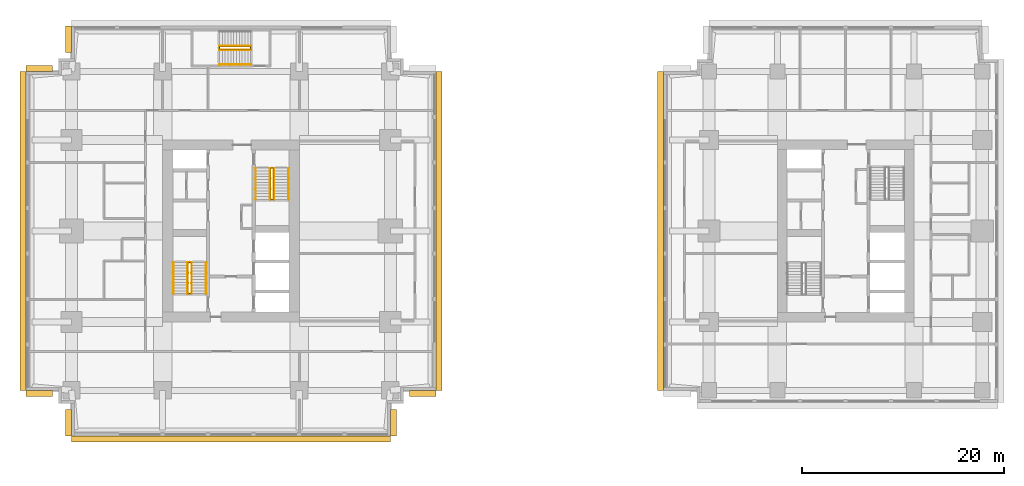
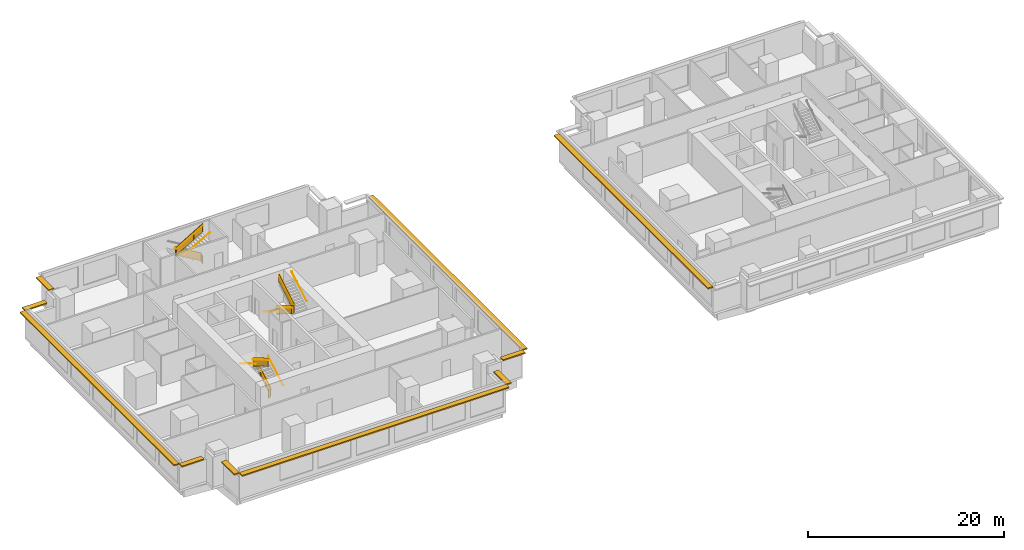
# One storey, part 9 of 10: 14 railings, 10 shading devices.
"""IFC4 building model written with IfcOpenShell, lengths in metres."""

from ifc_helpers import new_model, si_unit, direction, frame, origin, origin_2d, place, context, subcontext, project, spatial, polyline, rectangle, circle, outline, extrude, material, layer, layer_set, type_object, element, save


model = new_model("IFC4")

# Units and contexts
model_context = context("Model", 3, precision=1e-05, world=origin(), true_north=direction((0.0, 1.0)))
body_context = subcontext(model_context, "Body", "Model", "MODEL_VIEW")
ifc_project = project(units=[si_unit("LENGTHUNIT", "METRE"), si_unit("AREAUNIT", "SQUARE_METRE"), si_unit("VOLUMEUNIT", "CUBIC_METRE"), si_unit("PLANEANGLEUNIT", "RADIAN"), si_unit("MASSUNIT", "GRAM", prefix="KILO")], contexts=[model_context])

# Site, building, storey
site_placement = place(None, origin())
site = spatial("IfcSite", under=ifc_project, at=site_placement, CompositionType="ELEMENT")
building_placement = place(site_placement, origin())
building = spatial("IfcBuilding", under=site, at=building_placement, Name="Namib Vertical Campus", CompositionType="ELEMENT")
storey_placement = place(building_placement, frame((0.0, 0.0, 165.0)))
storey = spatial("IfcBuildingStorey", under=building, at=storey_placement, Name="L39", CompositionType="ELEMENT", Elevation=165.0)

# Railings
ifc_material_1 = material(Name="Steel handrail", Category="steel")
railing_type_1 = type_object("IfcRailingType", Name="Handrail 900", PredefinedType="HANDRAIL", material=ifc_material_1)
railing_1_placement = place(storey_placement, frame((17.800048828125, 14.050048828125, 0.166748046875)))
element("IfcRailing", 1, at=railing_1_placement, inside=storey, type_object=railing_type_1, Name="Handrail HR1 A-S1 L39 1", PredefinedType="HANDRAIL", context=body_context, shape_type="SweptSolid", body=[
    extrude(circle(Radius=0.02392578125, at=origin_2d()), frame((0.0, 0.0, 0.8759765625), z_axis=(0.0, 0.859290745958, 0.51148745235), x_axis=(-1.0, 0.0, 0.0)), (0.0, 0.0, 1.0), 3.584228515625),
    extrude(circle(Radius=0.008056640625, at=origin_2d()), frame((0.0, 0.0, 0.8759765625), z_axis=(1.0, 0.0, 0.0), x_axis=(0.0, 0.0, 1.0)), (0.0, 0.0, 1.0), 0.050048828125),
    extrude(circle(Radius=0.008056640625, at=origin_2d()), frame((0.0, 1.026611328125, 1.48681640625), z_axis=(1.0, 0.0, 0.0), x_axis=(0.0, 0.0, 1.0)), (0.0, 0.0, 1.0), 0.050048828125),
    extrude(circle(Radius=0.008056640625, at=origin_2d()), frame((0.0, 2.05322265625, 2.09814453125), z_axis=(1.0, 0.0, 0.0), x_axis=(0.0, 0.0, 1.0)), (0.0, 0.0, 1.0), 0.050048828125),
    extrude(circle(Radius=0.008056640625, at=origin_2d()), frame((0.0, 3.079833984375, 2.708984375), z_axis=(1.0, 0.0, 0.0), x_axis=(0.0, 0.0, 1.0)), (0.0, 0.0, 1.0), 0.050048828125),
])
railing_2_placement = place(storey_placement, frame((14.550048828125, 17.1298828125, 2.166748046875)))
element("IfcRailing", 2, at=railing_2_placement, inside=storey, type_object=railing_type_1, Name="Handrail HR1 A-S1 L39 2", PredefinedType="HANDRAIL", context=body_context, shape_type="SweptSolid", body=[
    extrude(circle(Radius=0.02392578125, at=origin_2d()), frame((0.0, 0.0, 0.8759765625), z_axis=(0.0, -0.859290745958, 0.51148745235), x_axis=(1.0, 0.0, 0.0)), (0.0, 0.0, 1.0), 3.584228515625),
    extrude(circle(Radius=0.008056640625, at=origin_2d()), frame((0.0, 0.0, 0.8759765625), z_axis=(-1.0, 0.0, 0.0), x_axis=(0.0, 0.0, 1.0)), (0.0, 0.0, 1.0), 0.050048828125),
    extrude(circle(Radius=0.008056640625, at=origin_2d()), frame((0.0, -1.026611328125, 1.48681640625), z_axis=(-1.0, 0.0, 0.0), x_axis=(0.0, 0.0, 1.0)), (0.0, 0.0, 1.0), 0.050048828125),
    extrude(circle(Radius=0.008056640625, at=origin_2d()), frame((0.0, -2.05322265625, 2.09814453125), z_axis=(-1.0, 0.0, 0.0), x_axis=(0.0, 0.0, 1.0)), (0.0, 0.0, 1.0), 0.050048828125),
    extrude(circle(Radius=0.008056640625, at=origin_2d()), frame((0.0, -3.079833984375, 2.708984375), z_axis=(-1.0, 0.0, 0.0), x_axis=(0.0, 0.0, 1.0)), (0.0, 0.0, 1.0), 0.050048828125),
])
railing_3_placement = place(storey_placement, frame((16.375, 14.050048828125, 0.166748046875)))
element("IfcRailing", 3, at=railing_3_placement, inside=storey, type_object=railing_type_1, Name="Handrail HR1 A-S1 L39 1 at the well", PredefinedType="HANDRAIL", context=body_context, shape_type="SweptSolid", body=[
    extrude(circle(Radius=0.02392578125, at=origin_2d()), frame((0.0, 0.0, 0.8759765625), z_axis=(0.0, 0.859290745958, 0.51148745235), x_axis=(-1.0, 0.0, 0.0)), (0.0, 0.0, 1.0), 3.584228515625),
    extrude(circle(Radius=0.008056640625, at=origin_2d()), frame((0.0, 0.0, 0.8759765625), z_axis=(-1.0, 0.0, 0.0), x_axis=(0.0, 0.0, 1.0)), (0.0, 0.0, 1.0), 0.0400390625),
    extrude(circle(Radius=0.008056640625, at=origin_2d()), frame((0.0, 1.026611328125, 1.48681640625), z_axis=(-1.0, 0.0, 0.0), x_axis=(0.0, 0.0, 1.0)), (0.0, 0.0, 1.0), 0.0400390625),
    extrude(circle(Radius=0.008056640625, at=origin_2d()), frame((0.0, 2.05322265625, 2.09814453125), z_axis=(-1.0, 0.0, 0.0), x_axis=(0.0, 0.0, 1.0)), (0.0, 0.0, 1.0), 0.0400390625),
    extrude(circle(Radius=0.008056640625, at=origin_2d()), frame((0.0, 3.079833984375, 2.708984375), z_axis=(-1.0, 0.0, 0.0), x_axis=(0.0, 0.0, 1.0)), (0.0, 0.0, 1.0), 0.0400390625),
])
railing_4_placement = place(storey_placement, frame((15.97509765625, 17.1298828125, 2.166748046875)))
element("IfcRailing", 4, at=railing_4_placement, inside=storey, type_object=railing_type_1, Name="Handrail HR1 A-S1 L39 2 at the well", PredefinedType="HANDRAIL", context=body_context, shape_type="SweptSolid", body=[
    extrude(circle(Radius=0.02392578125, at=origin_2d()), frame((0.0, 0.0, 0.8759765625), z_axis=(0.0, -0.859290745958, 0.51148745235), x_axis=(1.0, 0.0, 0.0)), (0.0, 0.0, 1.0), 3.584228515625),
    extrude(circle(Radius=0.008056640625, at=origin_2d()), frame((0.0, 0.0, 0.8759765625), z_axis=(1.0, 0.0, 0.0), x_axis=(0.0, 0.0, 1.0)), (0.0, 0.0, 1.0), 0.0400390625),
    extrude(circle(Radius=0.008056640625, at=origin_2d()), frame((0.0, -1.026611328125, 1.48681640625), z_axis=(1.0, 0.0, 0.0), x_axis=(0.0, 0.0, 1.0)), (0.0, 0.0, 1.0), 0.0400390625),
    extrude(circle(Radius=0.008056640625, at=origin_2d()), frame((0.0, -2.05322265625, 2.09814453125), z_axis=(1.0, 0.0, 0.0), x_axis=(0.0, 0.0, 1.0)), (0.0, 0.0, 1.0), 0.0400390625),
    extrude(circle(Radius=0.008056640625, at=origin_2d()), frame((0.0, -3.079833984375, 2.708984375), z_axis=(1.0, 0.0, 0.0), x_axis=(0.0, 0.0, 1.0)), (0.0, 0.0, 1.0), 0.0400390625),
])
railing_5_placement = place(storey_placement, frame((22.699951171875, 26.449951171875, 0.166748046875)))
element("IfcRailing", 5, at=railing_5_placement, inside=storey, type_object=railing_type_1, Name="Handrail HR1 A-S2 L39 1", PredefinedType="HANDRAIL", context=body_context, shape_type="SweptSolid", body=[
    extrude(circle(Radius=0.02392578125, at=origin_2d()), frame((0.0, 0.0, 0.8759765625), z_axis=(0.0, -0.859290745958, 0.51148745235), x_axis=(1.0, 0.0, 0.0)), (0.0, 0.0, 1.0), 3.584228515625),
    extrude(circle(Radius=0.008056640625, at=origin_2d()), frame((0.0, 0.0, 0.8759765625), z_axis=(-1.0, 0.0, 0.0), x_axis=(0.0, 0.0, 1.0)), (0.0, 0.0, 1.0), 0.050048828125),
    extrude(circle(Radius=0.008056640625, at=origin_2d()), frame((0.0, -1.026611328125, 1.48681640625), z_axis=(-1.0, 0.0, 0.0), x_axis=(0.0, 0.0, 1.0)), (0.0, 0.0, 1.0), 0.050048828125),
    extrude(circle(Radius=0.008056640625, at=origin_2d()), frame((0.0, -2.05322265625, 2.09814453125), z_axis=(-1.0, 0.0, 0.0), x_axis=(0.0, 0.0, 1.0)), (0.0, 0.0, 1.0), 0.050048828125),
    extrude(circle(Radius=0.008056640625, at=origin_2d()), frame((0.0, -3.079833984375, 2.708984375), z_axis=(-1.0, 0.0, 0.0), x_axis=(0.0, 0.0, 1.0)), (0.0, 0.0, 1.0), 0.050048828125),
])
railing_6_placement = place(storey_placement, frame((25.949951171875, 23.3701171875, 2.166748046875)))
element("IfcRailing", 6, at=railing_6_placement, inside=storey, type_object=railing_type_1, Name="Handrail HR1 A-S2 L39 2", PredefinedType="HANDRAIL", context=body_context, shape_type="SweptSolid", body=[
    extrude(circle(Radius=0.02392578125, at=origin_2d()), frame((0.0, 0.0, 0.8759765625), z_axis=(0.0, 0.859290745958, 0.51148745235), x_axis=(-1.0, 0.0, 0.0)), (0.0, 0.0, 1.0), 3.584228515625),
    extrude(circle(Radius=0.008056640625, at=origin_2d()), frame((0.0, 0.0, 0.8759765625), z_axis=(1.0, 0.0, 0.0), x_axis=(0.0, 0.0, 1.0)), (0.0, 0.0, 1.0), 0.050048828125),
    extrude(circle(Radius=0.008056640625, at=origin_2d()), frame((0.0, 1.026611328125, 1.48681640625), z_axis=(1.0, 0.0, 0.0), x_axis=(0.0, 0.0, 1.0)), (0.0, 0.0, 1.0), 0.050048828125),
    extrude(circle(Radius=0.008056640625, at=origin_2d()), frame((0.0, 2.05322265625, 2.09814453125), z_axis=(1.0, 0.0, 0.0), x_axis=(0.0, 0.0, 1.0)), (0.0, 0.0, 1.0), 0.050048828125),
    extrude(circle(Radius=0.008056640625, at=origin_2d()), frame((0.0, 3.079833984375, 2.708984375), z_axis=(1.0, 0.0, 0.0), x_axis=(0.0, 0.0, 1.0)), (0.0, 0.0, 1.0), 0.050048828125),
])
railing_7_placement = place(storey_placement, frame((24.125, 26.449951171875, 0.166748046875)))
element("IfcRailing", 7, at=railing_7_placement, inside=storey, type_object=railing_type_1, Name="Handrail HR1 A-S2 L39 1 at the well", PredefinedType="HANDRAIL", context=body_context, shape_type="SweptSolid", body=[
    extrude(circle(Radius=0.02392578125, at=origin_2d()), frame((0.0, 0.0, 0.8759765625), z_axis=(0.0, -0.859290745958, 0.51148745235), x_axis=(1.0, 0.0, 0.0)), (0.0, 0.0, 1.0), 3.584228515625),
    extrude(circle(Radius=0.008056640625, at=origin_2d()), frame((0.0, 0.0, 0.8759765625), z_axis=(1.0, 0.0, 0.0), x_axis=(0.0, 0.0, 1.0)), (0.0, 0.0, 1.0), 0.0400390625),
    extrude(circle(Radius=0.008056640625, at=origin_2d()), frame((0.0, -1.026611328125, 1.48681640625), z_axis=(1.0, 0.0, 0.0), x_axis=(0.0, 0.0, 1.0)), (0.0, 0.0, 1.0), 0.0400390625),
    extrude(circle(Radius=0.008056640625, at=origin_2d()), frame((0.0, -2.05322265625, 2.09814453125), z_axis=(1.0, 0.0, 0.0), x_axis=(0.0, 0.0, 1.0)), (0.0, 0.0, 1.0), 0.0400390625),
    extrude(circle(Radius=0.008056640625, at=origin_2d()), frame((0.0, -3.079833984375, 2.708984375), z_axis=(1.0, 0.0, 0.0), x_axis=(0.0, 0.0, 1.0)), (0.0, 0.0, 1.0), 0.0400390625),
])
railing_8_placement = place(storey_placement, frame((24.52490234375, 23.3701171875, 2.166748046875)))
element("IfcRailing", 8, at=railing_8_placement, inside=storey, type_object=railing_type_1, Name="Handrail HR1 A-S2 L39 2 at the well", PredefinedType="HANDRAIL", context=body_context, shape_type="SweptSolid", body=[
    extrude(circle(Radius=0.02392578125, at=origin_2d()), frame((0.0, 0.0, 0.8759765625), z_axis=(0.0, 0.859290745958, 0.51148745235), x_axis=(-1.0, 0.0, 0.0)), (0.0, 0.0, 1.0), 3.584228515625),
    extrude(circle(Radius=0.008056640625, at=origin_2d()), frame((0.0, 0.0, 0.8759765625), z_axis=(-1.0, 0.0, 0.0), x_axis=(0.0, 0.0, 1.0)), (0.0, 0.0, 1.0), 0.0400390625),
    extrude(circle(Radius=0.008056640625, at=origin_2d()), frame((0.0, 1.026611328125, 1.48681640625), z_axis=(-1.0, 0.0, 0.0), x_axis=(0.0, 0.0, 1.0)), (0.0, 0.0, 1.0), 0.0400390625),
    extrude(circle(Radius=0.008056640625, at=origin_2d()), frame((0.0, 2.05322265625, 2.09814453125), z_axis=(-1.0, 0.0, 0.0), x_axis=(0.0, 0.0, 1.0)), (0.0, 0.0, 1.0), 0.0400390625),
    extrude(circle(Radius=0.008056640625, at=origin_2d()), frame((0.0, 3.079833984375, 2.708984375), z_axis=(-1.0, 0.0, 0.0), x_axis=(0.0, 0.0, 1.0)), (0.0, 0.0, 1.0), 0.0400390625),
])
railing_9_placement = place(storey_placement, frame((19.1201171875, 36.699951171875, 2.166748046875)))
element("IfcRailing", 9, at=railing_9_placement, inside=storey, type_object=railing_type_1, Name="Handrail HR1 A-S3 L39 2", PredefinedType="HANDRAIL", context=body_context, shape_type="SweptSolid", body=[
    extrude(circle(Radius=0.02392578125, at=origin_2d()), frame((0.0, 0.0, 0.8759765625), z_axis=(0.859290745958, 0.0, 0.51148745235), x_axis=(0.0, 1.0, 0.0)), (0.0, 0.0, 1.0), 3.584228515625),
    extrude(circle(Radius=0.008056640625, at=origin_2d()), frame((0.0, 0.0, 0.8759765625), z_axis=(0.0, -1.0, 0.0), x_axis=(0.0, 0.0, 1.0)), (0.0, 0.0, 1.0), 0.050048828125),
    extrude(circle(Radius=0.008056640625, at=origin_2d()), frame((1.026611328125, 0.0, 1.48681640625), z_axis=(0.0, -1.0, 0.0), x_axis=(0.0, 0.0, 1.0)), (0.0, 0.0, 1.0), 0.050048828125),
    extrude(circle(Radius=0.008056640625, at=origin_2d()), frame((2.05322265625, 0.0, 2.09814453125), z_axis=(0.0, -1.0, 0.0), x_axis=(0.0, 0.0, 1.0)), (0.0, 0.0, 1.0), 0.050048828125),
    extrude(circle(Radius=0.008056640625, at=origin_2d()), frame((3.079833984375, 0.0, 2.708984375), z_axis=(0.0, -1.0, 0.0), x_axis=(0.0, 0.0, 1.0)), (0.0, 0.0, 1.0), 0.050048828125),
])
railing_10_placement = place(storey_placement, frame((22.199951171875, 38.52490234375, 0.166748046875)))
element("IfcRailing", 10, at=railing_10_placement, inside=storey, type_object=railing_type_1, Name="Handrail HR1 A-S3 L39 1 at the well", PredefinedType="HANDRAIL", context=body_context, shape_type="SweptSolid", body=[
    extrude(circle(Radius=0.02392578125, at=origin_2d()), frame((0.0, 0.0, 0.8759765625), z_axis=(-0.859290745958, 0.0, 0.51148745235), x_axis=(0.0, -1.0, 0.0)), (0.0, 0.0, 1.0), 3.584228515625),
    extrude(circle(Radius=0.008056640625, at=origin_2d()), frame((0.0, 0.0, 0.8759765625), z_axis=(0.0, -1.0, 0.0), x_axis=(0.0, 0.0, 1.0)), (0.0, 0.0, 1.0), 0.0400390625),
    extrude(circle(Radius=0.008056640625, at=origin_2d()), frame((-1.026611328125, 0.0, 1.48681640625), z_axis=(0.0, -1.0, 0.0), x_axis=(0.0, 0.0, 1.0)), (0.0, 0.0, 1.0), 0.0400390625),
    extrude(circle(Radius=0.008056640625, at=origin_2d()), frame((-2.05322265625, 0.0, 2.09814453125), z_axis=(0.0, -1.0, 0.0), x_axis=(0.0, 0.0, 1.0)), (0.0, 0.0, 1.0), 0.0400390625),
    extrude(circle(Radius=0.008056640625, at=origin_2d()), frame((-3.079833984375, 0.0, 2.708984375), z_axis=(0.0, -1.0, 0.0), x_axis=(0.0, 0.0, 1.0)), (0.0, 0.0, 1.0), 0.0400390625),
])
railing_11_placement = place(storey_placement, frame((19.1201171875, 38.125, 2.166748046875)))
element("IfcRailing", 11, at=railing_11_placement, inside=storey, type_object=railing_type_1, Name="Handrail HR1 A-S3 L39 2 at the well", PredefinedType="HANDRAIL", context=body_context, shape_type="SweptSolid", body=[
    extrude(circle(Radius=0.02392578125, at=origin_2d()), frame((0.0, 0.0, 0.8759765625), z_axis=(0.859290745958, 0.0, 0.51148745235), x_axis=(0.0, 1.0, 0.0)), (0.0, 0.0, 1.0), 3.584228515625),
    extrude(circle(Radius=0.008056640625, at=origin_2d()), frame((0.0, 0.0, 0.8759765625), z_axis=(0.0, 1.0, 0.0), x_axis=(0.0, 0.0, 1.0)), (0.0, 0.0, 1.0), 0.0400390625),
    extrude(circle(Radius=0.008056640625, at=origin_2d()), frame((1.026611328125, 0.0, 1.48681640625), z_axis=(0.0, 1.0, 0.0), x_axis=(0.0, 0.0, 1.0)), (0.0, 0.0, 1.0), 0.0400390625),
    extrude(circle(Radius=0.008056640625, at=origin_2d()), frame((2.05322265625, 0.0, 2.09814453125), z_axis=(0.0, 1.0, 0.0), x_axis=(0.0, 0.0, 1.0)), (0.0, 0.0, 1.0), 0.0400390625),
    extrude(circle(Radius=0.008056640625, at=origin_2d()), frame((3.079833984375, 0.0, 2.708984375), z_axis=(0.0, 1.0, 0.0), x_axis=(0.0, 0.0, 1.0)), (0.0, 0.0, 1.0), 0.0400390625),
])
ifc_material_2 = material(Name="Steel balustrade", Category="steel")
railing_type_2 = type_object("IfcRailingType", Name="Stair guard 1100", PredefinedType="GUARDRAIL", material=ifc_material_2)
railing_12_placement = place(storey_placement, frame((16.02490234375, 14.050048828125, 0.0)))
element("IfcRailing", 12, at=railing_12_placement, inside=storey, type_object=railing_type_2, Name="Stair guard GR1 A-S1 L39", PredefinedType="GUARDRAIL", context=body_context, shape_type="SweptSolid", body=[
    extrude(circle(Radius=0.02392578125, at=origin_2d()), frame((0.0, 0.0, 1.076171875), z_axis=(1.0, 0.0, 0.0), x_axis=(0.0, 1.0, 0.0)), (0.0, 0.0, 1.0), 0.300048828125),
    extrude(outline(polyline([(0.02099609375, 0.050048828125), (0.279052734375, 0.050048828125), (0.279052734375, 1.052001953125), (0.02099609375, 1.052001953125), (0.02099609375, 0.050048828125)])), frame((0.0, 0.010009765625, 0.0), z_axis=(0.0, -1.0, 0.0), x_axis=(1.0, 0.0, 0.0)), (0.0, 0.0, 1.0), 0.02001953125),
    extrude(circle(Radius=0.02392578125, at=origin_2d()), frame((0.300048828125, 0.0, 1.076171875), z_axis=(0.0, 0.0, 1.0), x_axis=(1.0, 0.0, 0.0)), (0.0, 0.0, 1.0), 0.166748046875),
    extrude(circle(Radius=0.02392578125, at=origin_2d()), frame((0.300048828125, 0.0, 1.24267578125), z_axis=(0.0, 0.859290745958, 0.51148745235), x_axis=(-1.0, 0.0, 0.0)), (0.0, 0.0, 1.0), 3.584228515625),
    extrude(outline(polyline([(0.02099609375, 0.0625), (3.058837890625, 1.870849609375), (3.058837890625, 2.872802734375), (0.02099609375, 1.064453125), (0.02099609375, 0.0625)])), frame((0.2900390625, 0.0, 0.166748046875), z_axis=(1.0, 0.0, 0.0), x_axis=(0.0, 1.0, 0.0)), (0.0, 0.0, 1.0), 0.02001953125),
    extrude(circle(Radius=0.02392578125, at=origin_2d()), frame((0.300048828125, 3.079833984375, 3.076171875), z_axis=(-1.0, 0.0, 0.0), x_axis=(0.0, -1.0, 0.0)), (0.0, 0.0, 1.0), 0.300048828125),
    extrude(outline(polyline([(0.02099609375, 0.050048828125), (0.279052734375, 0.050048828125), (0.279052734375, 1.052001953125), (0.02099609375, 1.052001953125), (0.02099609375, 0.050048828125)])), frame((0.300048828125, 3.06982421875, 2.0), z_axis=(0.0, 1.0, 0.0), x_axis=(-1.0, 0.0, 0.0)), (0.0, 0.0, 1.0), 0.02001953125),
    extrude(circle(Radius=0.02392578125, at=origin_2d()), frame((0.0, 3.079833984375, 3.076171875), z_axis=(0.0, 0.0, 1.0), x_axis=(1.0, 0.0, 0.0)), (0.0, 0.0, 1.0), 0.166748046875),
    extrude(circle(Radius=0.02392578125, at=origin_2d()), frame((0.0, 3.079833984375, 3.24267578125), z_axis=(0.0, -0.859290745958, 0.51148745235), x_axis=(1.0, 0.0, 0.0)), (0.0, 0.0, 1.0), 3.584228515625),
    extrude(outline(polyline([(0.02099609375, 0.0625), (3.058837890625, 1.870849609375), (3.058837890625, 2.872802734375), (0.02099609375, 1.064453125), (0.02099609375, 0.0625)])), frame((0.010009765625, 3.079833984375, 2.166748046875), z_axis=(-1.0, 0.0, 0.0), x_axis=(0.0, -1.0, 0.0)), (0.0, 0.0, 1.0), 0.02001953125),
    extrude(circle(Radius=0.02392578125, at=origin_2d()), frame((0.0, 0.0, 5.076171875), z_axis=(0.0, -1.0, 0.0), x_axis=(1.0, 0.0, 0.0)), (0.0, 0.0, 1.0), 0.050048828125),
    extrude(outline(polyline([(0.02099609375, 0.050048828125), (0.029052734375, 0.050048828125), (0.029052734375, 1.052001953125), (0.02099609375, 1.052001953125), (0.02099609375, 0.050048828125)])), frame((0.010009765625, 0.0, 4.0), z_axis=(-1.0, 0.0, 0.0), x_axis=(0.0, -1.0, 0.0)), (0.0, 0.0, 1.0), 0.02001953125),
    extrude(circle(Radius=0.02099609375, at=origin_2d()), origin(), (0.0, 0.0, 1.0), 1.052001953125),
    extrude(circle(Radius=0.02099609375, at=origin_2d()), frame((0.300048828125, 0.0, 0.166748046875)), (0.0, 0.0, 1.0), 1.052001953125),
    extrude(circle(Radius=0.02099609375, at=origin_2d()), frame((0.300048828125, 1.026611328125, 0.666748046875)), (0.0, 0.0, 1.0), 1.1630859375),
    extrude(circle(Radius=0.02099609375, at=origin_2d()), frame((0.300048828125, 2.05322265625, 1.33349609375)), (0.0, 0.0, 1.0), 1.107421875),
    extrude(circle(Radius=0.02099609375, at=origin_2d()), frame((0.300048828125, 3.079833984375, 2.0)), (0.0, 0.0, 1.0), 1.052001953125),
    extrude(circle(Radius=0.02099609375, at=origin_2d()), frame((0.0, 3.079833984375, 2.166748046875)), (0.0, 0.0, 1.0), 1.052001953125),
    extrude(circle(Radius=0.02099609375, at=origin_2d()), frame((0.0, 2.05322265625, 2.666748046875)), (0.0, 0.0, 1.0), 1.1630859375),
    extrude(circle(Radius=0.02099609375, at=origin_2d()), frame((0.0, 1.026611328125, 3.33349609375)), (0.0, 0.0, 1.0), 1.107421875),
    extrude(circle(Radius=0.02099609375, at=origin_2d()), frame((0.0, 0.0, 4.0)), (0.0, 0.0, 1.0), 1.052001953125),
    extrude(circle(Radius=0.02099609375, at=origin_2d()), frame((0.0, -0.050048828125, 4.0)), (0.0, 0.0, 1.0), 1.052001953125),
])
railing_13_placement = place(storey_placement, frame((24.47509765625, 26.449951171875, 0.0)))
element("IfcRailing", 13, at=railing_13_placement, inside=storey, type_object=railing_type_2, Name="Stair guard GR1 A-S2 L39", PredefinedType="GUARDRAIL", context=body_context, shape_type="SweptSolid", body=[
    extrude(circle(Radius=0.02392578125, at=origin_2d()), frame((0.0, 0.0, 1.076171875), z_axis=(-1.0, 0.0, 0.0), x_axis=(0.0, -1.0, 0.0)), (0.0, 0.0, 1.0), 0.300048828125),
    extrude(outline(polyline([(0.02099609375, 0.050048828125), (0.279052734375, 0.050048828125), (0.279052734375, 1.052001953125), (0.02099609375, 1.052001953125), (0.02099609375, 0.050048828125)])), frame((0.0, -0.010009765625, 0.0), z_axis=(0.0, 1.0, 0.0), x_axis=(-1.0, 0.0, 0.0)), (0.0, 0.0, 1.0), 0.02001953125),
    extrude(circle(Radius=0.02392578125, at=origin_2d()), frame((-0.300048828125, 0.0, 1.076171875), z_axis=(0.0, 0.0, 1.0), x_axis=(1.0, 0.0, 0.0)), (0.0, 0.0, 1.0), 0.166748046875),
    extrude(circle(Radius=0.02392578125, at=origin_2d()), frame((-0.300048828125, 0.0, 1.24267578125), z_axis=(0.0, -0.859290745958, 0.51148745235), x_axis=(1.0, 0.0, 0.0)), (0.0, 0.0, 1.0), 3.584228515625),
    extrude(outline(polyline([(0.02099609375, 0.0625), (3.058837890625, 1.870849609375), (3.058837890625, 2.872802734375), (0.02099609375, 1.064453125), (0.02099609375, 0.0625)])), frame((-0.2900390625, 0.0, 0.166748046875), z_axis=(-1.0, 0.0, 0.0), x_axis=(0.0, -1.0, 0.0)), (0.0, 0.0, 1.0), 0.02001953125),
    extrude(circle(Radius=0.02392578125, at=origin_2d()), frame((-0.300048828125, -3.079833984375, 3.076171875), z_axis=(1.0, 0.0, 0.0), x_axis=(0.0, 1.0, 0.0)), (0.0, 0.0, 1.0), 0.300048828125),
    extrude(outline(polyline([(0.02099609375, 0.050048828125), (0.279052734375, 0.050048828125), (0.279052734375, 1.052001953125), (0.02099609375, 1.052001953125), (0.02099609375, 0.050048828125)])), frame((-0.300048828125, -3.06982421875, 2.0), z_axis=(0.0, -1.0, 0.0), x_axis=(1.0, 0.0, 0.0)), (0.0, 0.0, 1.0), 0.02001953125),
    extrude(circle(Radius=0.02392578125, at=origin_2d()), frame((0.0, -3.079833984375, 3.076171875), z_axis=(0.0, 0.0, 1.0), x_axis=(1.0, 0.0, 0.0)), (0.0, 0.0, 1.0), 0.166748046875),
    extrude(circle(Radius=0.02392578125, at=origin_2d()), frame((0.0, -3.079833984375, 3.24267578125), z_axis=(0.0, 0.859290745958, 0.51148745235), x_axis=(-1.0, 0.0, 0.0)), (0.0, 0.0, 1.0), 3.584228515625),
    extrude(outline(polyline([(0.02099609375, 0.0625), (3.058837890625, 1.870849609375), (3.058837890625, 2.872802734375), (0.02099609375, 1.064453125), (0.02099609375, 0.0625)])), frame((-0.010009765625, -3.079833984375, 2.166748046875), z_axis=(1.0, 0.0, 0.0), x_axis=(0.0, 1.0, 0.0)), (0.0, 0.0, 1.0), 0.02001953125),
    extrude(circle(Radius=0.02392578125, at=origin_2d()), frame((0.0, 0.0, 5.076171875), z_axis=(0.0, 1.0, 0.0), x_axis=(-1.0, 0.0, 0.0)), (0.0, 0.0, 1.0), 0.050048828125),
    extrude(outline(polyline([(0.02099609375, 0.050048828125), (0.029052734375, 0.050048828125), (0.029052734375, 1.052001953125), (0.02099609375, 1.052001953125), (0.02099609375, 0.050048828125)])), frame((-0.010009765625, 0.0, 4.0), z_axis=(1.0, 0.0, 0.0), x_axis=(0.0, 1.0, 0.0)), (0.0, 0.0, 1.0), 0.02001953125),
    extrude(circle(Radius=0.02099609375, at=origin_2d()), origin(), (0.0, 0.0, 1.0), 1.052001953125),
    extrude(circle(Radius=0.02099609375, at=origin_2d()), frame((-0.300048828125, 0.0, 0.166748046875)), (0.0, 0.0, 1.0), 1.052001953125),
    extrude(circle(Radius=0.02099609375, at=origin_2d()), frame((-0.300048828125, -1.026611328125, 0.666748046875)), (0.0, 0.0, 1.0), 1.1630859375),
    extrude(circle(Radius=0.02099609375, at=origin_2d()), frame((-0.300048828125, -2.05322265625, 1.33349609375)), (0.0, 0.0, 1.0), 1.107421875),
    extrude(circle(Radius=0.02099609375, at=origin_2d()), frame((-0.300048828125, -3.079833984375, 2.0)), (0.0, 0.0, 1.0), 1.052001953125),
    extrude(circle(Radius=0.02099609375, at=origin_2d()), frame((0.0, -3.079833984375, 2.166748046875)), (0.0, 0.0, 1.0), 1.052001953125),
    extrude(circle(Radius=0.02099609375, at=origin_2d()), frame((0.0, -2.05322265625, 2.666748046875)), (0.0, 0.0, 1.0), 1.1630859375),
    extrude(circle(Radius=0.02099609375, at=origin_2d()), frame((0.0, -1.026611328125, 3.33349609375)), (0.0, 0.0, 1.0), 1.107421875),
    extrude(circle(Radius=0.02099609375, at=origin_2d()), frame((0.0, 0.0, 4.0)), (0.0, 0.0, 1.0), 1.052001953125),
    extrude(circle(Radius=0.02099609375, at=origin_2d()), frame((0.0, 0.050048828125, 4.0)), (0.0, 0.0, 1.0), 1.052001953125),
])
railing_14_placement = place(storey_placement, frame((22.199951171875, 38.175048828125, 0.0)))
element("IfcRailing", 14, at=railing_14_placement, inside=storey, type_object=railing_type_2, Name="Stair guard GR1 A-S3 L39", PredefinedType="GUARDRAIL", context=body_context, shape_type="SweptSolid", body=[
    extrude(circle(Radius=0.02392578125, at=origin_2d()), frame((0.0, 0.0, 1.076171875), z_axis=(0.0, 1.0, 0.0), x_axis=(-1.0, 0.0, 0.0)), (0.0, 0.0, 1.0), 0.300048828125),
    extrude(outline(polyline([(0.02099609375, 0.050048828125), (0.279052734375, 0.050048828125), (0.279052734375, 1.052001953125), (0.02099609375, 1.052001953125), (0.02099609375, 0.050048828125)])), frame((-0.010009765625, 0.0, 0.0), z_axis=(1.0, 0.0, 0.0), x_axis=(0.0, 1.0, 0.0)), (0.0, 0.0, 1.0), 0.02001953125),
    extrude(circle(Radius=0.02392578125, at=origin_2d()), frame((0.0, 0.300048828125, 1.076171875), z_axis=(0.0, 0.0, 1.0), x_axis=(1.0, 0.0, 0.0)), (0.0, 0.0, 1.0), 0.166748046875),
    extrude(circle(Radius=0.02392578125, at=origin_2d()), frame((0.0, 0.300048828125, 1.24267578125), z_axis=(-0.859290745958, 0.0, 0.51148745235), x_axis=(0.0, -1.0, 0.0)), (0.0, 0.0, 1.0), 3.584228515625),
    extrude(outline(polyline([(0.02099609375, 0.0625), (3.058837890625, 1.870849609375), (3.058837890625, 2.872802734375), (0.02099609375, 1.064453125), (0.02099609375, 0.0625)])), frame((0.0, 0.2900390625, 0.166748046875), z_axis=(0.0, 1.0, 0.0), x_axis=(-1.0, 0.0, 0.0)), (0.0, 0.0, 1.0), 0.02001953125),
    extrude(circle(Radius=0.02392578125, at=origin_2d()), frame((-3.079833984375, 0.300048828125, 3.076171875), z_axis=(0.0, -1.0, 0.0), x_axis=(1.0, 0.0, 0.0)), (0.0, 0.0, 1.0), 0.300048828125),
    extrude(outline(polyline([(0.02099609375, 0.050048828125), (0.279052734375, 0.050048828125), (0.279052734375, 1.052001953125), (0.02099609375, 1.052001953125), (0.02099609375, 0.050048828125)])), frame((-3.06982421875, 0.300048828125, 2.0), z_axis=(-1.0, 0.0, 0.0), x_axis=(0.0, -1.0, 0.0)), (0.0, 0.0, 1.0), 0.02001953125),
    extrude(circle(Radius=0.02392578125, at=origin_2d()), frame((-3.079833984375, 0.0, 3.076171875), z_axis=(0.0, 0.0, 1.0), x_axis=(1.0, 0.0, 0.0)), (0.0, 0.0, 1.0), 0.166748046875),
    extrude(circle(Radius=0.02392578125, at=origin_2d()), frame((-3.079833984375, 0.0, 3.24267578125), z_axis=(0.859290745958, 0.0, 0.51148745235), x_axis=(0.0, 1.0, 0.0)), (0.0, 0.0, 1.0), 3.584228515625),
    extrude(outline(polyline([(0.02099609375, 0.0625), (3.058837890625, 1.870849609375), (3.058837890625, 2.872802734375), (0.02099609375, 1.064453125), (0.02099609375, 0.0625)])), frame((-3.079833984375, 0.010009765625, 2.166748046875), z_axis=(0.0, -1.0, 0.0), x_axis=(1.0, 0.0, 0.0)), (0.0, 0.0, 1.0), 0.02001953125),
    extrude(circle(Radius=0.02392578125, at=origin_2d()), frame((0.0, 0.0, 5.076171875), z_axis=(1.0, 0.0, 0.0), x_axis=(0.0, 1.0, 0.0)), (0.0, 0.0, 1.0), 0.050048828125),
    extrude(outline(polyline([(0.02099609375, 0.050048828125), (0.029052734375, 0.050048828125), (0.029052734375, 1.052001953125), (0.02099609375, 1.052001953125), (0.02099609375, 0.050048828125)])), frame((0.0, 0.010009765625, 4.0), z_axis=(0.0, -1.0, 0.0), x_axis=(1.0, 0.0, 0.0)), (0.0, 0.0, 1.0), 0.02001953125),
    extrude(circle(Radius=0.02099609375, at=origin_2d()), origin(), (0.0, 0.0, 1.0), 1.052001953125),
    extrude(circle(Radius=0.02099609375, at=origin_2d()), frame((0.0, 0.300048828125, 0.166748046875)), (0.0, 0.0, 1.0), 1.052001953125),
    extrude(circle(Radius=0.02099609375, at=origin_2d()), frame((-1.026611328125, 0.300048828125, 0.666748046875)), (0.0, 0.0, 1.0), 1.1630859375),
    extrude(circle(Radius=0.02099609375, at=origin_2d()), frame((-2.05322265625, 0.300048828125, 1.33349609375)), (0.0, 0.0, 1.0), 1.107421875),
    extrude(circle(Radius=0.02099609375, at=origin_2d()), frame((-3.079833984375, 0.300048828125, 2.0)), (0.0, 0.0, 1.0), 1.052001953125),
    extrude(circle(Radius=0.02099609375, at=origin_2d()), frame((-3.079833984375, 0.0, 2.166748046875)), (0.0, 0.0, 1.0), 1.052001953125),
    extrude(circle(Radius=0.02099609375, at=origin_2d()), frame((-2.05322265625, 0.0, 2.666748046875)), (0.0, 0.0, 1.0), 1.1630859375),
    extrude(circle(Radius=0.02099609375, at=origin_2d()), frame((-1.026611328125, 0.0, 3.33349609375)), (0.0, 0.0, 1.0), 1.107421875),
    extrude(circle(Radius=0.02099609375, at=origin_2d()), frame((0.0, 0.0, 4.0)), (0.0, 0.0, 1.0), 1.052001953125),
    extrude(circle(Radius=0.02099609375, at=origin_2d()), frame((0.050048828125, 0.0, 4.0)), (0.0, 0.0, 1.0), 1.052001953125),
])

# Shading devices
ifc_material_3 = material(Name="Concrete C40/50 precast", Category="concrete")
ifc_layer = layer(ifc_material_3, 0.14990234375)
ifc_layer_set = layer_set([ifc_layer], Name="Concrete C40/50 precast")
shading_device_type = type_object("IfcShadingDeviceType", Name="Sunshade hood 600", PredefinedType="SHUTTER", material=ifc_layer_set)
shading_device_1_placement = place(storey_placement, frame((20.25, -0.300048828125, 3.199951171875), z_axis=(0.0, 0.0, 1.0), x_axis=(1.0, 0.0, 0.0)))
element("IfcShadingDevice", 15, at=shading_device_1_placement, inside=storey, type_object=shading_device_type, Name="Sunshade SH3 L39 1", PredefinedType="SHUTTER", context=body_context, shape_type="SweptSolid", body=[
    extrude(rectangle(XDim=31.5, YDim=0.60009765625, at=origin_2d()), origin(), (0.0, 0.0, 1.0), 0.14990234375),
])
for number, where, z_axis, x_axis, name in (
    (16, (36.300048828125, 1.300048828125, 3.199951171875), (0.0, 0.0, 1.0), (0.0, 1.0, 0.0), "Sunshade SH3 L39 2"),
    (17, (39.199951171875, 4.199951171875, 3.199951171875), (0.0, 0.0, 1.0), (1.0, 0.0, 0.0), "Sunshade SH3 L39 5"),
):
    element("IfcShadingDevice", number, at=place(storey_placement, frame(where, z_axis=z_axis, x_axis=x_axis)), inside=storey, type_object=shading_device_type, Name=name, PredefinedType="SHUTTER", context=body_context, shape_type="SweptSolid", body=[
        extrude(rectangle(XDim=2.60009765625, YDim=0.60009765625, at=origin_2d()), origin(), (0.0, 0.0, 1.0), 0.14990234375),
    ])
shading_device_2_placement = place(storey_placement, frame((40.800048828125, 20.25, 3.199951171875), z_axis=(0.0, 0.0, 1.0), x_axis=(0.0, 1.0, 0.0)))
element("IfcShadingDevice", 18, at=shading_device_2_placement, inside=storey, type_object=shading_device_type, Name="Sunshade SH3 L39 6", PredefinedType="SHUTTER", context=body_context, shape_type="SweptSolid", body=[
    extrude(rectangle(XDim=31.5, YDim=0.60009765625, at=origin_2d()), origin(), (0.0, 0.0, 1.0), 0.14990234375),
])
for number, where, z_axis, x_axis, name in (
    (19, (4.199951171875, 39.199951171875, 3.199951171875), (0.0, 0.0, 1.0), (0.0, -1.0, 0.0), "Sunshade SH3 L39 12"),
    (20, (1.300048828125, 36.300048828125, 3.199951171875), (0.0, 0.0, 1.0), (-1.0, 0.0, 0.0), "Sunshade SH3 L39 15"),
):
    element("IfcShadingDevice", number, at=place(storey_placement, frame(where, z_axis=z_axis, x_axis=x_axis)), inside=storey, type_object=shading_device_type, Name=name, PredefinedType="SHUTTER", context=body_context, shape_type="SweptSolid", body=[
        extrude(rectangle(XDim=2.60009765625, YDim=0.60009765625, at=origin_2d()), origin(), (0.0, 0.0, 1.0), 0.14990234375),
    ])
shading_device_3_placement = place(storey_placement, frame((-0.300048828125, 20.25, 3.199951171875), z_axis=(0.0, 0.0, 1.0), x_axis=(0.0, -1.0, 0.0)))
element("IfcShadingDevice", 21, at=shading_device_3_placement, inside=storey, type_object=shading_device_type, Name="Sunshade SH3 L39 16", PredefinedType="SHUTTER", context=body_context, shape_type="SweptSolid", body=[
    extrude(rectangle(XDim=31.5, YDim=0.60009765625, at=origin_2d()), origin(), (0.0, 0.0, 1.0), 0.14990234375),
])
for number, where, z_axis, x_axis, name in (
    (22, (1.300048828125, 4.199951171875, 3.199951171875), (0.0, 0.0, 1.0), (1.0, 0.0, 0.0), "Sunshade SH3 L39 17"),
    (23, (4.199951171875, 1.300048828125, 3.199951171875), (0.0, 0.0, 1.0), (0.0, -1.0, 0.0), "Sunshade SH3 L39 20"),
):
    element("IfcShadingDevice", number, at=place(storey_placement, frame(where, z_axis=z_axis, x_axis=x_axis)), inside=storey, type_object=shading_device_type, Name=name, PredefinedType="SHUTTER", context=body_context, shape_type="SweptSolid", body=[
        extrude(rectangle(XDim=2.60009765625, YDim=0.60009765625, at=origin_2d()), origin(), (0.0, 0.0, 1.0), 0.14990234375),
    ])
shading_device_4_placement = place(storey_placement, frame((62.699951171875, 20.25, 3.199951171875), z_axis=(0.0, 0.0, 1.0), x_axis=(0.0, -1.0, 0.0)))
element("IfcShadingDevice", 24, at=shading_device_4_placement, inside=storey, type_object=shading_device_type, Name="Sunshade SH3 L39 12", PredefinedType="SHUTTER", context=body_context, shape_type="SweptSolid", body=[
    extrude(rectangle(XDim=31.5, YDim=0.60009765625, at=origin_2d()), origin(), (0.0, 0.0, 1.0), 0.14990234375),
])

save(model, "model.ifc")
